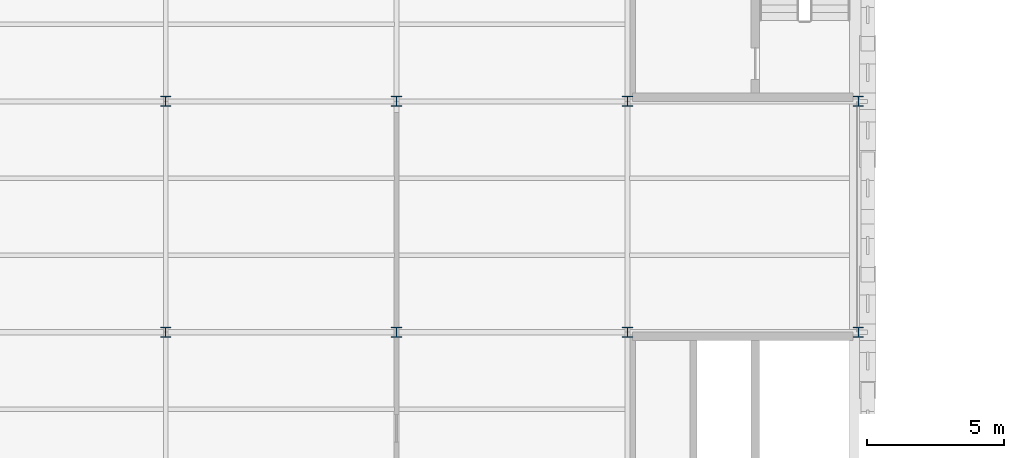
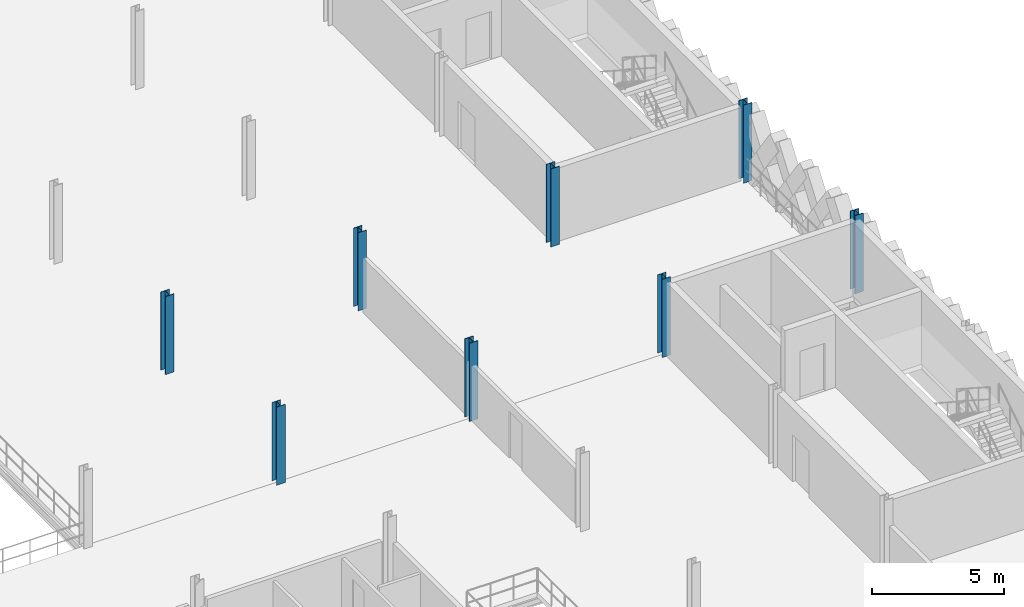
# One storey, part 6 of 62: 8 columns.
"""IFC4 building model written with IfcOpenShell, lengths in metres."""

from ifc_helpers import new_model, si_unit, direction, frame, origin, origin_2d, place, context, subcontext, project, spatial, i_section, extrude, material, material_profile, profile_set, type_object, element, save


model = new_model("IFC4")

# Units and contexts
model_context = context("Model", 3, precision=1e-05, world=origin(), true_north=direction((0.0, 1.0)))
body_context = subcontext(model_context, "Body", "Model", "MODEL_VIEW")
ifc_project = project(units=[si_unit("LENGTHUNIT", "METRE"), si_unit("AREAUNIT", "SQUARE_METRE"), si_unit("VOLUMEUNIT", "CUBIC_METRE"), si_unit("PLANEANGLEUNIT", "RADIAN"), si_unit("MASSUNIT", "GRAM", prefix="KILO"), si_unit("THERMODYNAMICTEMPERATUREUNIT", "KELVIN"), si_unit("POWERUNIT", "WATT")], contexts=[model_context])

# Site, building, storey
site_placement = place(None, origin())
site = spatial("IfcSite", under=ifc_project, at=site_placement, CompositionType="ELEMENT")
building_placement = place(site_placement, origin())
building = spatial("IfcBuilding", under=site, at=building_placement, Name="Tembeka Court Mobility Hub", CompositionType="ELEMENT")
storey_placement = place(building_placement, frame((0.0, 0.0, 16.199951171875)))
storey = spatial("IfcBuildingStorey", under=building, at=storey_placement, Name="L04", CompositionType="ELEMENT", Elevation=16.199951171875)

# Columns
ifc_material = material(Name="Steel S355", Category="steel")
ifc_material_profile = material_profile(ifc_material, i_section(OverallWidth=0.373046875, OverallDepth=0.367919921875, WebThickness=0.014404296875, FlangeThickness=0.023681640625, FilletRadius=0.01513671875, at=origin_2d()), Name="UKC 356x368x177")
ifc_profile_set = profile_set([ifc_material_profile], Name="Steel S355")
column_type = type_object("IfcColumnType", Name="COL-C03", PredefinedType="COLUMN", material=ifc_profile_set)
for number, where, z_axis, x_axis, name in (
    (1, (67.199951171875, 55.199951171875, 0.0), (0.0, 0.0, 1.0), (1.0, 0.0, 0.0), "Column C03 (L04-097)"),
    (2, (67.199951171875, 63.60009765625, 0.0), (0.0, 0.0, 1.0), (1.0, 0.0, 0.0), "Column C03 (L04-098)"),
    (3, (75.60009765625, 55.199951171875, 0.0), (0.0, 0.0, 1.0), (1.0, 0.0, 0.0), "Column C03 (L04-107)"),
    (4, (75.60009765625, 63.60009765625, 0.0), (0.0, 0.0, 1.0), (1.0, 0.0, 0.0), "Column C03 (L04-108)"),
    (5, (84.0, 55.199951171875, 0.0), (0.0, 0.0, 1.0), (1.0, 0.0, 0.0), "Column C03 (L04-118)"),
    (6, (84.0, 63.60009765625, 0.0), (0.0, 0.0, 1.0), (1.0, 0.0, 0.0), "Column C03 (L04-119)"),
    (7, (92.39990234375, 55.199951171875, 0.0), (0.0, 0.0, 1.0), (1.0, 0.0, 0.0), "Column C03 (L04-130)"),
    (8, (92.39990234375, 63.60009765625, 0.0), (0.0, 0.0, 1.0), (1.0, 0.0, 0.0), "Column C03 (L04-131)"),
):
    element("IfcColumn", number, at=place(storey_placement, frame(where, z_axis=z_axis, x_axis=x_axis)), inside=storey, type_object=column_type, Name=name, PredefinedType="COLUMN", context=body_context, shape_type="SweptSolid", body=[
        extrude(i_section(OverallWidth=0.373046875, OverallDepth=0.367919921875, WebThickness=0.014404296875, FlangeThickness=0.023681640625, FilletRadius=0.01513671875, at=origin_2d()), origin(), (0.0, 0.0, 1.0), 3.60009765625),
    ])

save(model, "model.ifc")
